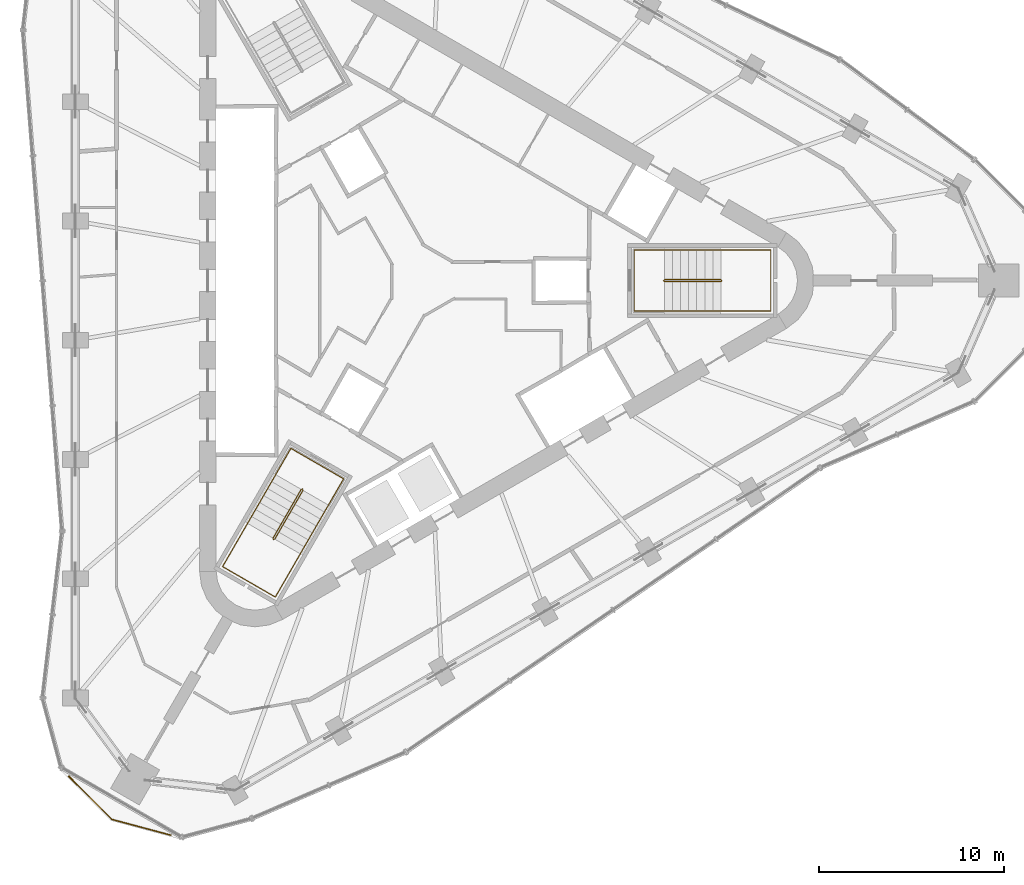
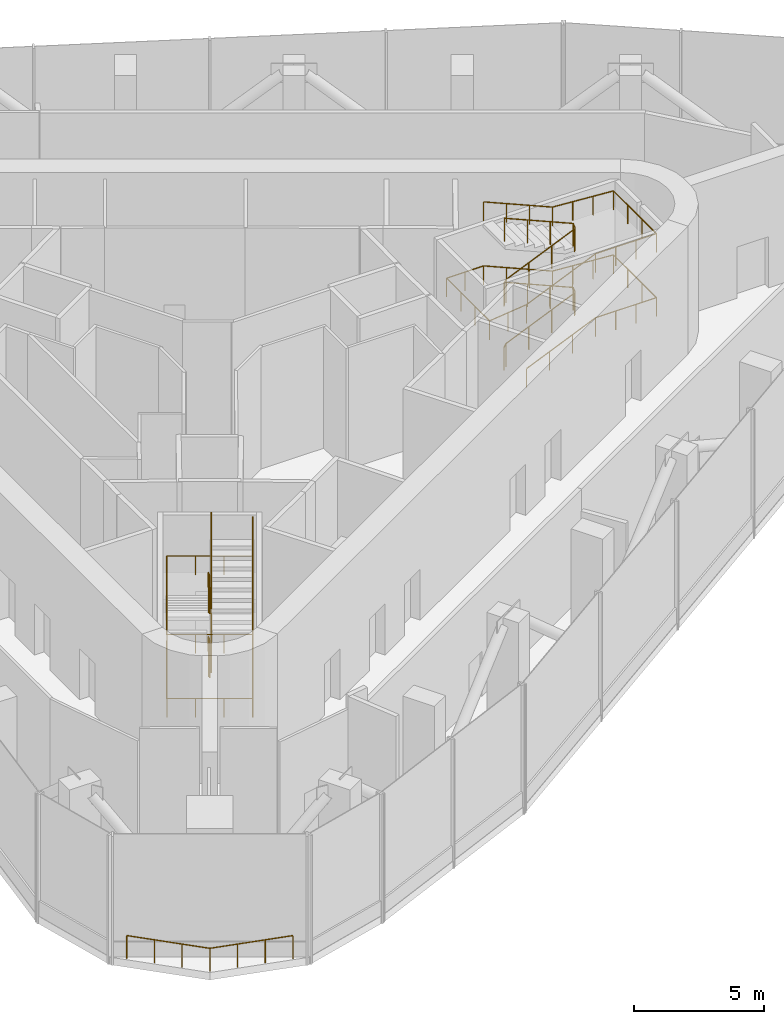
# One storey, part 13 of 15: 5 railings.
"""IFC4 building model written with IfcOpenShell, lengths in metres."""

from ifc_helpers import new_model, si_unit, direction, frame, origin, origin_2d, place, context, subcontext, project, spatial, circle, extrude, material, type_object, element, save


model = new_model("IFC4")

# Units and contexts
model_context = context("Model", 3, precision=1e-05, world=origin(), true_north=direction((0.0, 1.0)))
body_context = subcontext(model_context, "Body", "Model", "MODEL_VIEW")
ifc_project = project(units=[si_unit("LENGTHUNIT", "METRE"), si_unit("AREAUNIT", "SQUARE_METRE"), si_unit("VOLUMEUNIT", "CUBIC_METRE"), si_unit("PLANEANGLEUNIT", "RADIAN"), si_unit("MASSUNIT", "GRAM", prefix="KILO")], contexts=[model_context])

# Site, building, storey
site_placement = place(None, origin())
site = spatial("IfcSite", under=ifc_project, at=site_placement, CompositionType="ELEMENT")
building_placement = place(site_placement, origin())
building = spatial("IfcBuilding", under=site, at=building_placement, Name="Tanit Gate Tower", CompositionType="ELEMENT")
storey_placement = place(building_placement, frame((0.0, 0.0, 392.300048828125)))
storey = spatial("IfcBuildingStorey", under=building, at=storey_placement, Name="L90", CompositionType="ELEMENT", Elevation=392.300048828125)

# Railings
ifc_material_1 = material(Name="Stainless steel", Category="steel")
railing_type_1 = type_object("IfcRailingType", Name="Guard 1100 stainless steel balustrade", PredefinedType="GUARDRAIL", material=ifc_material_1)
railing_1_placement = place(storey_placement, frame((-13.66552734375, -30.05126953125, 0.0)))
element("IfcRailing", 1, at=railing_1_placement, inside=storey, type_object=railing_type_1, Name="Corner ledge guard L90 1", PredefinedType="GUARDRAIL", context=body_context, shape_type="SweptSolid", body=[
    extrude(circle(Radius=0.02392578125, at=origin_2d()), frame((0.0, 0.0, 1.076171875), z_axis=(-0.965927598952, 0.258812429344, 0.0), x_axis=(-0.258812429344, -0.965927598952, 0.0)), (0.0, 0.0, 1.0), 3.303466796875),
    extrude(circle(Radius=0.02392578125, at=origin_2d()), frame((-3.19091796875, 0.85498046875, 1.076171875), z_axis=(-0.707106781187, 0.707106781187, 0.0), x_axis=(-0.707106781187, -0.707106781187, 0.0)), (0.0, 0.0, 1.0), 3.303466796875),
    extrude(circle(Radius=0.02099609375, at=origin_2d()), origin(), (0.0, 0.0, 1.0), 1.052001953125),
    extrude(circle(Radius=0.02099609375, at=origin_2d()), frame((-1.063720703125, 0.284912109375, 0.0)), (0.0, 0.0, 1.0), 1.052001953125),
    extrude(circle(Radius=0.02099609375, at=origin_2d()), frame((-2.127197265625, 0.570068359375, 0.0)), (0.0, 0.0, 1.0), 1.052001953125),
    extrude(circle(Radius=0.02099609375, at=origin_2d()), frame((-3.19091796875, 0.85498046875, 0.0)), (0.0, 0.0, 1.0), 1.052001953125),
    extrude(circle(Radius=0.02099609375, at=origin_2d()), frame((-3.969482421875, 1.633544921875, 0.0)), (0.0, 0.0, 1.0), 1.052001953125),
    extrude(circle(Radius=0.02099609375, at=origin_2d()), frame((-4.748291015625, 2.412353515625, 0.0)), (0.0, 0.0, 1.0), 1.052001953125),
    extrude(circle(Radius=0.02099609375, at=origin_2d()), frame((-5.52685546875, 3.19091796875, 0.0)), (0.0, 0.0, 1.0), 1.052001953125),
])
ifc_material_2 = material(Name="Stainless steel balustrade", Category="steel")
railing_type_2 = type_object("IfcRailingType", Name="INT-STAIR-GUARD", PredefinedType="GUARDRAIL", material=ifc_material_2)
railing_2_placement = place(storey_placement, frame((13.044921875, 0.0048828125, 0.0)))
element("IfcRailing", 2, at=railing_2_placement, inside=storey, type_object=railing_type_2, Name="L90 S1 stair guard 1", PredefinedType="GUARDRAIL", context=body_context, shape_type="SweptSolid", body=[
    extrude(circle(Radius=0.02392578125, at=origin_2d()), frame((0.0, 0.0, 1.076171875), z_axis=(0.0, -1.0, 0.0), x_axis=(1.0, 0.0, 0.0)), (0.0, 0.0, 1.0), 0.009765625),
    extrude(circle(Radius=0.02392578125, at=origin_2d()), frame((0.0, -0.009765625, 1.076171875), z_axis=(0.249726431254, -0.249726431254, 0.935560483917), x_axis=(0.707106781187, 0.707106781187, 0.0)), (0.0, 0.0, 1.0), 0.200439453125),
    extrude(circle(Radius=0.02392578125, at=origin_2d()), frame((0.050048828125, -0.059814453125, 1.263671875), z_axis=(0.918608089886, 0.0, 0.395169808052), x_axis=(0.0, 1.0, 0.0)), (0.0, 0.0, 1.0), 3.3212890625),
    extrude(circle(Radius=0.02392578125, at=origin_2d()), frame((3.10107421875, -0.059814453125, 2.576171875), z_axis=(0.707106781187, 0.707106781187, 0.0), x_axis=(-0.707106781187, 0.707106781187, 0.0)), (0.0, 0.0, 1.0), 0.07080078125),
    extrude(circle(Radius=0.02392578125, at=origin_2d()), frame((3.151123046875, -0.009765625, 2.576171875), z_axis=(0.0, 1.0, 0.0), x_axis=(-1.0, 0.0, 0.0)), (0.0, 0.0, 1.0), 0.009765625),
    extrude(circle(Radius=0.02392578125, at=origin_2d()), frame((3.151123046875, 0.0, 2.576171875), z_axis=(-0.249726431254, 0.249726431254, 0.935560483917), x_axis=(-0.707106781187, -0.707106781187, 0.0)), (0.0, 0.0, 1.0), 0.200439453125),
    extrude(circle(Radius=0.02392578125, at=origin_2d()), frame((3.10107421875, 0.050048828125, 2.763671875), z_axis=(-0.918608089886, 0.0, 0.395169808052), x_axis=(0.0, -1.0, 0.0)), (0.0, 0.0, 1.0), 3.3212890625),
    extrude(circle(Radius=0.02392578125, at=origin_2d()), frame((0.050048828125, 0.050048828125, 4.076171875), z_axis=(-0.707106781187, -0.707106781187, 0.0), x_axis=(0.707106781187, -0.707106781187, 0.0)), (0.0, 0.0, 1.0), 0.07080078125),
    extrude(circle(Radius=0.02392578125, at=origin_2d()), frame((0.0, 0.0, 4.076171875), z_axis=(0.0, -1.0, 0.0), x_axis=(1.0, 0.0, 0.0)), (0.0, 0.0, 1.0), 0.009765625),
    extrude(circle(Radius=0.02392578125, at=origin_2d()), frame((0.0, -0.009765625, 4.076171875), z_axis=(0.249726431254, -0.249726431254, 0.935560483917), x_axis=(0.707106781187, 0.707106781187, 0.0)), (0.0, 0.0, 1.0), 0.200439453125),
    extrude(circle(Radius=0.02392578125, at=origin_2d()), frame((0.050048828125, -0.059814453125, 4.263671875), z_axis=(0.918608089886, 0.0, 0.395169808052), x_axis=(0.0, 1.0, 0.0)), (0.0, 0.0, 1.0), 3.3212890625),
    extrude(circle(Radius=0.02392578125, at=origin_2d()), frame((3.10107421875, -0.059814453125, 5.576171875), z_axis=(0.707106781187, 0.707106781187, 0.0), x_axis=(-0.707106781187, 0.707106781187, 0.0)), (0.0, 0.0, 1.0), 0.07080078125),
    extrude(circle(Radius=0.02392578125, at=origin_2d()), frame((3.151123046875, -0.009765625, 5.576171875), z_axis=(0.0, 1.0, 0.0), x_axis=(-1.0, 0.0, 0.0)), (0.0, 0.0, 1.0), 0.009765625),
    extrude(circle(Radius=0.02392578125, at=origin_2d()), frame((3.151123046875, 0.0, 5.576171875), z_axis=(-0.249726431254, 0.249726431254, 0.935560483917), x_axis=(-0.707106781187, -0.707106781187, 0.0)), (0.0, 0.0, 1.0), 0.200439453125),
    extrude(circle(Radius=0.02392578125, at=origin_2d()), frame((3.10107421875, 0.050048828125, 5.763671875), z_axis=(-0.918608089886, 0.0, 0.395169808052), x_axis=(0.0, -1.0, 0.0)), (0.0, 0.0, 1.0), 3.3212890625),
    extrude(circle(Radius=0.02099609375, at=origin_2d()), origin(), (0.0, 0.0, 1.0), 1.052001953125),
    extrude(circle(Radius=0.02099609375, at=origin_2d()), frame((0.0, -0.009765625, 0.0)), (0.0, 0.0, 1.0), 1.052001953125),
    extrude(circle(Radius=0.02099609375, at=origin_2d()), frame((0.050048828125, -0.059814453125, 0.1875)), (0.0, 0.0, 1.0), 1.052001953125),
    extrude(circle(Radius=0.02099609375, at=origin_2d()), frame((1.067138671875, -0.059814453125, 0.625)), (0.0, 0.0, 1.0), 1.052001953125),
    extrude(circle(Radius=0.02099609375, at=origin_2d()), frame((2.083984375, -0.059814453125, 1.0625)), (0.0, 0.0, 1.0), 1.052001953125),
    extrude(circle(Radius=0.02099609375, at=origin_2d()), frame((3.10107421875, -0.059814453125, 1.5)), (0.0, 0.0, 1.0), 1.052001953125),
    extrude(circle(Radius=0.02099609375, at=origin_2d()), frame((3.151123046875, -0.009765625, 1.5)), (0.0, 0.0, 1.0), 1.052001953125),
    extrude(circle(Radius=0.02099609375, at=origin_2d()), frame((3.151123046875, 0.0, 1.5)), (0.0, 0.0, 1.0), 1.052001953125),
    extrude(circle(Radius=0.02099609375, at=origin_2d()), frame((3.10107421875, 0.050048828125, 1.6875)), (0.0, 0.0, 1.0), 1.052001953125),
    extrude(circle(Radius=0.02099609375, at=origin_2d()), frame((2.083984375, 0.050048828125, 2.125)), (0.0, 0.0, 1.0), 1.052001953125),
    extrude(circle(Radius=0.02099609375, at=origin_2d()), frame((1.067138671875, 0.050048828125, 2.5625)), (0.0, 0.0, 1.0), 1.052001953125),
    extrude(circle(Radius=0.02099609375, at=origin_2d()), frame((0.050048828125, 0.050048828125, 3.0)), (0.0, 0.0, 1.0), 1.052001953125),
    extrude(circle(Radius=0.02099609375, at=origin_2d()), frame((0.0, 0.0, 3.0)), (0.0, 0.0, 1.0), 1.052001953125),
    extrude(circle(Radius=0.02099609375, at=origin_2d()), frame((0.0, -0.009765625, 3.0)), (0.0, 0.0, 1.0), 1.052001953125),
    extrude(circle(Radius=0.02099609375, at=origin_2d()), frame((0.050048828125, -0.059814453125, 3.1875)), (0.0, 0.0, 1.0), 1.052001953125),
    extrude(circle(Radius=0.02099609375, at=origin_2d()), frame((1.067138671875, -0.059814453125, 3.625)), (0.0, 0.0, 1.0), 1.052001953125),
    extrude(circle(Radius=0.02099609375, at=origin_2d()), frame((2.083984375, -0.059814453125, 4.0625)), (0.0, 0.0, 1.0), 1.052001953125),
    extrude(circle(Radius=0.02099609375, at=origin_2d()), frame((3.10107421875, -0.059814453125, 4.5)), (0.0, 0.0, 1.0), 1.052001953125),
    extrude(circle(Radius=0.02099609375, at=origin_2d()), frame((3.151123046875, -0.009765625, 4.5)), (0.0, 0.0, 1.0), 1.052001953125),
    extrude(circle(Radius=0.02099609375, at=origin_2d()), frame((3.151123046875, 0.0, 4.5)), (0.0, 0.0, 1.0), 1.052001953125),
    extrude(circle(Radius=0.02099609375, at=origin_2d()), frame((3.10107421875, 0.050048828125, 4.6875)), (0.0, 0.0, 1.0), 1.052001953125),
    extrude(circle(Radius=0.02099609375, at=origin_2d()), frame((2.083984375, 0.050048828125, 5.125)), (0.0, 0.0, 1.0), 1.052001953125),
    extrude(circle(Radius=0.02099609375, at=origin_2d()), frame((1.067138671875, 0.050048828125, 5.5625)), (0.0, 0.0, 1.0), 1.052001953125),
    extrude(circle(Radius=0.02099609375, at=origin_2d()), frame((0.050048828125, 0.050048828125, 6.0)), (0.0, 0.0, 1.0), 1.052001953125),
])
railing_3_placement = place(storey_placement, frame((-6.51806640625, -11.2998046875, 0.0)))
element("IfcRailing", 3, at=railing_3_placement, inside=storey, type_object=railing_type_2, Name="L90 S3 stair guard 1", PredefinedType="GUARDRAIL", context=body_context, shape_type="SweptSolid", body=[
    extrude(circle(Radius=0.02392578125, at=origin_2d()), frame((0.0, 0.0, 1.076171875), z_axis=(-0.874157276122, 0.485642931179, 0.0), x_axis=(-0.485642931179, -0.874157276122, 0.0)), (0.0, 0.0, 1.0), 0.010009765625),
    extrude(circle(Radius=0.02392578125, at=origin_2d()), frame((-0.0087890625, 0.0048828125, 1.076171875), z_axis=(-0.34113380443, -0.090156791171, 0.935681292151), x_axis=(0.255512919477, -0.966805641264, 0.0)), (0.0, 0.0, 1.0), 0.200439453125),
    extrude(circle(Radius=0.02392578125, at=origin_2d()), frame((-0.0771484375, -0.01318359375, 1.263671875), z_axis=(-0.459267510171, -0.795558940874, 0.395169995947), x_axis=(0.866048339477, -0.499960272111, 0.0)), (0.0, 0.0, 1.0), 3.3212890625),
    extrude(circle(Radius=0.02392578125, at=origin_2d()), frame((-1.6025390625, -2.655517578125, 2.576171875), z_axis=(0.258736085224, -0.965948051503, 0.0), x_axis=(0.965948051503, 0.258736085224, 0.0)), (0.0, 0.0, 1.0), 0.07080078125),
    extrude(circle(Radius=0.02392578125, at=origin_2d()), frame((-1.584228515625, -2.723876953125, 2.576171875), z_axis=(0.868243142124, -0.496138938357, 0.0), x_axis=(0.496138938357, 0.868243142124, 0.0)), (0.0, 0.0, 1.0), 0.009765625),
    extrude(circle(Radius=0.02392578125, at=origin_2d()), frame((-1.57568359375, -2.728759765625, 2.576171875), z_axis=(0.341096086969, 0.091365023295, 0.935577838543), x_axis=(-0.258736085224, 0.965948051503, 0.0)), (0.0, 0.0, 1.0), 0.200439453125),
    extrude(circle(Radius=0.02392578125, at=origin_2d()), frame((-1.50732421875, -2.71044921875, 2.763671875), z_axis=(0.459352369135, 0.79550509502, 0.395179762597), x_axis=(-0.865993683553, 0.500054937028, 0.0)), (0.0, 0.0, 1.0), 3.3212890625),
    extrude(circle(Radius=0.02392578125, at=origin_2d()), frame((0.018310546875, -0.068359375, 4.076171875), z_axis=(-0.258736085224, 0.965948051503, 0.0), x_axis=(-0.965948051503, -0.258736085224, 0.0)), (0.0, 0.0, 1.0), 0.07080078125),
    extrude(circle(Radius=0.02392578125, at=origin_2d()), frame((0.0, 0.0, 4.076171875), z_axis=(-0.874157276122, 0.485642931179, 0.0), x_axis=(-0.485642931179, -0.874157276122, 0.0)), (0.0, 0.0, 1.0), 0.010009765625),
    extrude(circle(Radius=0.02392578125, at=origin_2d()), frame((-0.0087890625, 0.0048828125, 4.076171875), z_axis=(-0.34113380443, -0.090156791171, 0.935681292151), x_axis=(0.255512919477, -0.966805641264, 0.0)), (0.0, 0.0, 1.0), 0.200439453125),
    extrude(circle(Radius=0.02392578125, at=origin_2d()), frame((-0.0771484375, -0.01318359375, 4.263671875), z_axis=(-0.459267510171, -0.795558940874, 0.395169995947), x_axis=(0.866048339477, -0.499960272111, 0.0)), (0.0, 0.0, 1.0), 3.3212890625),
    extrude(circle(Radius=0.02392578125, at=origin_2d()), frame((-1.6025390625, -2.655517578125, 5.576171875), z_axis=(0.258736085224, -0.965948051503, 0.0), x_axis=(0.965948051503, 0.258736085224, 0.0)), (0.0, 0.0, 1.0), 0.07080078125),
    extrude(circle(Radius=0.02392578125, at=origin_2d()), frame((-1.584228515625, -2.723876953125, 5.576171875), z_axis=(0.868243142124, -0.496138938357, 0.0), x_axis=(0.496138938357, 0.868243142124, 0.0)), (0.0, 0.0, 1.0), 0.009765625),
    extrude(circle(Radius=0.02392578125, at=origin_2d()), frame((-1.57568359375, -2.728759765625, 5.576171875), z_axis=(0.341096086969, 0.091365023295, 0.935577838543), x_axis=(-0.258736085224, 0.965948051503, 0.0)), (0.0, 0.0, 1.0), 0.200439453125),
    extrude(circle(Radius=0.02392578125, at=origin_2d()), frame((-1.50732421875, -2.71044921875, 5.763671875), z_axis=(0.459352369135, 0.79550509502, 0.395179762597), x_axis=(-0.865993683553, 0.500054937028, 0.0)), (0.0, 0.0, 1.0), 3.3212890625),
    extrude(circle(Radius=0.02099609375, at=origin_2d()), origin(), (0.0, 0.0, 1.0), 1.052001953125),
    extrude(circle(Radius=0.02099609375, at=origin_2d()), frame((-0.0087890625, 0.0048828125, 0.0)), (0.0, 0.0, 1.0), 1.052001953125),
    extrude(circle(Radius=0.02099609375, at=origin_2d()), frame((-0.0771484375, -0.01318359375, 0.1875)), (0.0, 0.0, 1.0), 1.052001953125),
    extrude(circle(Radius=0.02099609375, at=origin_2d()), frame((-0.585693359375, -0.89404296875, 0.625)), (0.0, 0.0, 1.0), 1.052001953125),
    extrude(circle(Radius=0.02099609375, at=origin_2d()), frame((-1.093994140625, -1.774658203125, 1.0625)), (0.0, 0.0, 1.0), 1.052001953125),
    extrude(circle(Radius=0.02099609375, at=origin_2d()), frame((-1.6025390625, -2.655517578125, 1.5)), (0.0, 0.0, 1.0), 1.052001953125),
    extrude(circle(Radius=0.02099609375, at=origin_2d()), frame((-1.584228515625, -2.723876953125, 1.5)), (0.0, 0.0, 1.0), 1.052001953125),
    extrude(circle(Radius=0.02099609375, at=origin_2d()), frame((-1.57568359375, -2.728759765625, 1.5)), (0.0, 0.0, 1.0), 1.052001953125),
    extrude(circle(Radius=0.02099609375, at=origin_2d()), frame((-1.50732421875, -2.71044921875, 1.6875)), (0.0, 0.0, 1.0), 1.052001953125),
    extrude(circle(Radius=0.02099609375, at=origin_2d()), frame((-0.998779296875, -1.829833984375, 2.125)), (0.0, 0.0, 1.0), 1.052001953125),
    extrude(circle(Radius=0.02099609375, at=origin_2d()), frame((-0.490234375, -0.948974609375, 2.5625)), (0.0, 0.0, 1.0), 1.052001953125),
    extrude(circle(Radius=0.02099609375, at=origin_2d()), frame((0.018310546875, -0.068359375, 3.0)), (0.0, 0.0, 1.0), 1.052001953125),
    extrude(circle(Radius=0.02099609375, at=origin_2d()), frame((0.0, 0.0, 3.0)), (0.0, 0.0, 1.0), 1.052001953125),
    extrude(circle(Radius=0.02099609375, at=origin_2d()), frame((-0.0087890625, 0.0048828125, 3.0)), (0.0, 0.0, 1.0), 1.052001953125),
    extrude(circle(Radius=0.02099609375, at=origin_2d()), frame((-0.0771484375, -0.01318359375, 3.1875)), (0.0, 0.0, 1.0), 1.052001953125),
    extrude(circle(Radius=0.02099609375, at=origin_2d()), frame((-0.585693359375, -0.89404296875, 3.625)), (0.0, 0.0, 1.0), 1.052001953125),
    extrude(circle(Radius=0.02099609375, at=origin_2d()), frame((-1.093994140625, -1.774658203125, 4.0625)), (0.0, 0.0, 1.0), 1.052001953125),
    extrude(circle(Radius=0.02099609375, at=origin_2d()), frame((-1.6025390625, -2.655517578125, 4.5)), (0.0, 0.0, 1.0), 1.052001953125),
    extrude(circle(Radius=0.02099609375, at=origin_2d()), frame((-1.584228515625, -2.723876953125, 4.5)), (0.0, 0.0, 1.0), 1.052001953125),
    extrude(circle(Radius=0.02099609375, at=origin_2d()), frame((-1.57568359375, -2.728759765625, 4.5)), (0.0, 0.0, 1.0), 1.052001953125),
    extrude(circle(Radius=0.02099609375, at=origin_2d()), frame((-1.50732421875, -2.71044921875, 4.6875)), (0.0, 0.0, 1.0), 1.052001953125),
    extrude(circle(Radius=0.02099609375, at=origin_2d()), frame((-0.998779296875, -1.829833984375, 5.125)), (0.0, 0.0, 1.0), 1.052001953125),
    extrude(circle(Radius=0.02099609375, at=origin_2d()), frame((-0.490234375, -0.948974609375, 5.5625)), (0.0, 0.0, 1.0), 1.052001953125),
    extrude(circle(Radius=0.02099609375, at=origin_2d()), frame((0.018310546875, -0.068359375, 6.0)), (0.0, 0.0, 1.0), 1.052001953125),
])
ifc_material_3 = material(Name="Stainless steel handrail", Category="steel")
railing_type_3 = type_object("IfcRailingType", Name="INT-STAIR-HANDRAIL", PredefinedType="HANDRAIL", material=ifc_material_3)
railing_4_placement = place(storey_placement, frame((13.094970703125, -1.64990234375, 0.1875)))
element("IfcRailing", 4, at=railing_4_placement, inside=storey, type_object=railing_type_3, Name="L90 S1 stair handrail 1", PredefinedType="HANDRAIL", context=body_context, shape_type="SweptSolid", body=[
    extrude(circle(Radius=0.02392578125, at=origin_2d()), frame((0.0, 0.0, 0.8759765625), z_axis=(0.918608089886, 0.0, 0.395169808052), x_axis=(0.0, 1.0, 0.0)), (0.0, 0.0, 1.0), 3.3212890625),
    extrude(circle(Radius=0.02392578125, at=origin_2d()), frame((3.051025390625, 0.0, 2.1884765625), z_axis=(1.0, 0.0, 0.0), x_axis=(0.0, 1.0, 0.0)), (0.0, 0.0, 1.0), 2.7041015625),
    extrude(circle(Radius=0.02392578125, at=origin_2d()), frame((5.755126953125, 0.0, 2.1884765625), z_axis=(0.0, 1.0, 0.0), x_axis=(-1.0, 0.0, 0.0)), (0.0, 0.0, 1.0), 3.2998046875),
    extrude(circle(Radius=0.02392578125, at=origin_2d()), frame((5.755126953125, 3.2998046875, 2.1884765625), z_axis=(-0.997604677724, 0.0, 0.069173022074), x_axis=(0.0, -1.0, 0.0)), (0.0, 0.0, 1.0), 2.710693359375),
    extrude(circle(Radius=0.02392578125, at=origin_2d()), frame((3.051025390625, 3.2998046875, 2.3759765625), z_axis=(-0.918608089886, 0.0, 0.395169808052), x_axis=(0.0, -1.0, 0.0)), (0.0, 0.0, 1.0), 3.3212890625),
    extrude(circle(Radius=0.02392578125, at=origin_2d()), frame((0.0, 3.2998046875, 3.6884765625), z_axis=(-1.0, 0.0, 0.0), x_axis=(0.0, -1.0, 0.0)), (0.0, 0.0, 1.0), 1.64501953125),
    extrude(circle(Radius=0.02392578125, at=origin_2d()), frame((-1.64501953125, 3.2998046875, 3.6884765625), z_axis=(0.0, -1.0, 0.0), x_axis=(1.0, 0.0, 0.0)), (0.0, 0.0, 1.0), 3.2998046875),
    extrude(circle(Radius=0.02392578125, at=origin_2d()), frame((-1.64501953125, 0.0, 3.6884765625), z_axis=(0.99356684807, 0.0, 0.113247156325), x_axis=(0.0, 1.0, 0.0)), (0.0, 0.0, 1.0), 1.65576171875),
    extrude(circle(Radius=0.02392578125, at=origin_2d()), frame((0.0, 0.0, 3.8759765625), z_axis=(0.918608089886, 0.0, 0.395169808052), x_axis=(0.0, 1.0, 0.0)), (0.0, 0.0, 1.0), 3.3212890625),
    extrude(circle(Radius=0.02392578125, at=origin_2d()), frame((3.051025390625, 0.0, 5.1884765625), z_axis=(1.0, 0.0, 0.0), x_axis=(0.0, 1.0, 0.0)), (0.0, 0.0, 1.0), 2.7041015625),
    extrude(circle(Radius=0.02392578125, at=origin_2d()), frame((5.755126953125, 0.0, 5.1884765625), z_axis=(0.0, 1.0, 0.0), x_axis=(-1.0, 0.0, 0.0)), (0.0, 0.0, 1.0), 3.2998046875),
    extrude(circle(Radius=0.02392578125, at=origin_2d()), frame((5.755126953125, 3.2998046875, 5.1884765625), z_axis=(-0.997604677724, 0.0, 0.069173022074), x_axis=(0.0, -1.0, 0.0)), (0.0, 0.0, 1.0), 2.710693359375),
    extrude(circle(Radius=0.02392578125, at=origin_2d()), frame((3.051025390625, 3.2998046875, 5.3759765625), z_axis=(-0.918608089886, 0.0, 0.395169808052), x_axis=(0.0, -1.0, 0.0)), (0.0, 0.0, 1.0), 3.3212890625),
    extrude(circle(Radius=0.02099609375, at=origin_2d()), origin(), (0.0, 0.0, 1.0), 0.851806640625),
    extrude(circle(Radius=0.02099609375, at=origin_2d()), frame((1.01708984375, 0.0, 0.4375)), (0.0, 0.0, 1.0), 0.851806640625),
    extrude(circle(Radius=0.02099609375, at=origin_2d()), frame((2.033935546875, 0.0, 0.875)), (0.0, 0.0, 1.0), 0.851806640625),
    extrude(circle(Radius=0.02099609375, at=origin_2d()), frame((3.051025390625, 0.0, 1.3125)), (0.0, 0.0, 1.0), 0.851806640625),
    extrude(circle(Radius=0.02099609375, at=origin_2d()), frame((3.952392578125, 0.0, 1.3125)), (0.0, 0.0, 1.0), 0.851806640625),
    extrude(circle(Radius=0.02099609375, at=origin_2d()), frame((4.853759765625, 0.0, 1.3125)), (0.0, 0.0, 1.0), 0.851806640625),
    extrude(circle(Radius=0.02099609375, at=origin_2d()), frame((5.755126953125, 0.0, 1.3125)), (0.0, 0.0, 1.0), 0.851806640625),
    extrude(circle(Radius=0.02099609375, at=origin_2d()), frame((5.755126953125, 1.099853515625, 1.3125)), (0.0, 0.0, 1.0), 0.851806640625),
    extrude(circle(Radius=0.02099609375, at=origin_2d()), frame((5.755126953125, 2.199951171875, 1.3125)), (0.0, 0.0, 1.0), 0.851806640625),
    extrude(circle(Radius=0.02099609375, at=origin_2d()), frame((5.755126953125, 3.2998046875, 1.3125)), (0.0, 0.0, 1.0), 0.851806640625),
    extrude(circle(Radius=0.02099609375, at=origin_2d()), frame((4.853759765625, 3.2998046875, 1.375)), (0.0, 0.0, 1.0), 0.851806640625),
    extrude(circle(Radius=0.02099609375, at=origin_2d()), frame((3.952392578125, 3.2998046875, 1.4375)), (0.0, 0.0, 1.0), 0.851806640625),
    extrude(circle(Radius=0.02099609375, at=origin_2d()), frame((3.051025390625, 3.2998046875, 1.5)), (0.0, 0.0, 1.0), 0.851806640625),
    extrude(circle(Radius=0.02099609375, at=origin_2d()), frame((2.033935546875, 3.2998046875, 1.9375)), (0.0, 0.0, 1.0), 0.851806640625),
    extrude(circle(Radius=0.02099609375, at=origin_2d()), frame((1.01708984375, 3.2998046875, 2.375)), (0.0, 0.0, 1.0), 0.851806640625),
    extrude(circle(Radius=0.02099609375, at=origin_2d()), frame((0.0, 3.2998046875, 2.8125)), (0.0, 0.0, 1.0), 0.851806640625),
    extrude(circle(Radius=0.02099609375, at=origin_2d()), frame((-0.822509765625, 3.2998046875, 2.8125)), (0.0, 0.0, 1.0), 0.851806640625),
    extrude(circle(Radius=0.02099609375, at=origin_2d()), frame((-1.64501953125, 3.2998046875, 2.8125)), (0.0, 0.0, 1.0), 0.851806640625),
    extrude(circle(Radius=0.02099609375, at=origin_2d()), frame((-1.64501953125, 2.199951171875, 2.8125)), (0.0, 0.0, 1.0), 0.851806640625),
    extrude(circle(Radius=0.02099609375, at=origin_2d()), frame((-1.64501953125, 1.099853515625, 2.8125)), (0.0, 0.0, 1.0), 0.851806640625),
    extrude(circle(Radius=0.02099609375, at=origin_2d()), frame((-1.64501953125, 0.0, 2.8125)), (0.0, 0.0, 1.0), 0.851806640625),
    extrude(circle(Radius=0.02099609375, at=origin_2d()), frame((-0.822509765625, 0.0, 2.90625)), (0.0, 0.0, 1.0), 0.851806640625),
    extrude(circle(Radius=0.02099609375, at=origin_2d()), frame((0.0, 0.0, 3.0)), (0.0, 0.0, 1.0), 0.851806640625),
    extrude(circle(Radius=0.02099609375, at=origin_2d()), frame((1.01708984375, 0.0, 3.4375)), (0.0, 0.0, 1.0), 0.851806640625),
    extrude(circle(Radius=0.02099609375, at=origin_2d()), frame((2.033935546875, 0.0, 3.875)), (0.0, 0.0, 1.0), 0.851806640625),
    extrude(circle(Radius=0.02099609375, at=origin_2d()), frame((3.051025390625, 0.0, 4.3125)), (0.0, 0.0, 1.0), 0.851806640625),
    extrude(circle(Radius=0.02099609375, at=origin_2d()), frame((3.952392578125, 0.0, 4.3125)), (0.0, 0.0, 1.0), 0.851806640625),
    extrude(circle(Radius=0.02099609375, at=origin_2d()), frame((4.853759765625, 0.0, 4.3125)), (0.0, 0.0, 1.0), 0.851806640625),
    extrude(circle(Radius=0.02099609375, at=origin_2d()), frame((5.755126953125, 0.0, 4.3125)), (0.0, 0.0, 1.0), 0.851806640625),
    extrude(circle(Radius=0.02099609375, at=origin_2d()), frame((5.755126953125, 1.099853515625, 4.3125)), (0.0, 0.0, 1.0), 0.851806640625),
    extrude(circle(Radius=0.02099609375, at=origin_2d()), frame((5.755126953125, 2.199951171875, 4.3125)), (0.0, 0.0, 1.0), 0.851806640625),
    extrude(circle(Radius=0.02099609375, at=origin_2d()), frame((5.755126953125, 3.2998046875, 4.3125)), (0.0, 0.0, 1.0), 0.851806640625),
    extrude(circle(Radius=0.02099609375, at=origin_2d()), frame((4.853759765625, 3.2998046875, 4.375)), (0.0, 0.0, 1.0), 0.851806640625),
    extrude(circle(Radius=0.02099609375, at=origin_2d()), frame((3.952392578125, 3.2998046875, 4.4375)), (0.0, 0.0, 1.0), 0.851806640625),
    extrude(circle(Radius=0.02099609375, at=origin_2d()), frame((3.051025390625, 3.2998046875, 4.5)), (0.0, 0.0, 1.0), 0.851806640625),
    extrude(circle(Radius=0.02099609375, at=origin_2d()), frame((2.033935546875, 3.2998046875, 4.9375)), (0.0, 0.0, 1.0), 0.851806640625),
    extrude(circle(Radius=0.02099609375, at=origin_2d()), frame((1.01708984375, 3.2998046875, 5.375)), (0.0, 0.0, 1.0), 0.851806640625),
    extrude(circle(Radius=0.02099609375, at=origin_2d()), frame((0.0, 3.2998046875, 5.8125)), (0.0, 0.0, 1.0), 0.851806640625),
])
railing_5_placement = place(storey_placement, frame((-7.9765625, -10.515625, 0.1875)))
element("IfcRailing", 5, at=railing_5_placement, inside=storey, type_object=railing_type_3, Name="L90 S3 stair handrail 1", PredefinedType="HANDRAIL", context=body_context, shape_type="SweptSolid", body=[
    extrude(circle(Radius=0.02392578125, at=origin_2d()), frame((0.0, 0.0, 0.8759765625), z_axis=(-0.459267510171, -0.795558940874, 0.395169995947), x_axis=(0.866048339477, -0.499960272111, 0.0)), (0.0, 0.0, 1.0), 3.3212890625),
    extrude(circle(Radius=0.02392578125, at=origin_2d()), frame((-1.525390625, -2.642333984375, 2.1884765625), z_axis=(-0.50004290449, -0.866000631449, 0.0), x_axis=(0.866000631449, -0.50004290449, 0.0)), (0.0, 0.0, 1.0), 2.703857421875),
    extrude(circle(Radius=0.02392578125, at=origin_2d()), frame((-2.87744140625, -4.98388671875, 2.1884765625), z_axis=(0.866008176907, -0.50002983664, 0.0), x_axis=(0.50002983664, 0.866008176907, 0.0)), (0.0, 0.0, 1.0), 3.300048828125),
    extrude(circle(Radius=0.02392578125, at=origin_2d()), frame((-0.01953125, -6.634033203125, 2.1884765625), z_axis=(0.498806118336, 0.863948769787, 0.069173546205), x_axis=(-0.866023205937, 0.500003806764, 0.0)), (0.0, 0.0, 1.0), 2.710693359375),
    extrude(circle(Radius=0.02392578125, at=origin_2d()), frame((1.33251953125, -4.292236328125, 2.3759765625), z_axis=(0.459267510171, 0.795558940874, 0.395169995947), x_axis=(-0.866048339477, 0.499960272111, 0.0)), (0.0, 0.0, 1.0), 3.3212890625),
    extrude(circle(Radius=0.02392578125, at=origin_2d()), frame((2.85791015625, -1.64990234375, 3.6884765625), z_axis=(0.50001794124, 0.866015045157, 0.0), x_axis=(-0.866015045157, 0.50001794124, 0.0)), (0.0, 0.0, 1.0), 1.64501953125),
    extrude(circle(Radius=0.02392578125, at=origin_2d()), frame((3.680419921875, -0.225341796875, 3.6884765625), z_axis=(-0.866040211805, 0.499974350878, 0.0), x_axis=(-0.499974350878, -0.866040211805, 0.0)), (0.0, 0.0, 1.0), 3.300048828125),
    extrude(circle(Radius=0.02392578125, at=origin_2d()), frame((0.822509765625, 1.424560546875, 3.6884765625), z_axis=(-0.496801021229, -0.860443442824, 0.113251167796), x_axis=(0.866015045157, -0.50001794124, 0.0)), (0.0, 0.0, 1.0), 1.655517578125),
    extrude(circle(Radius=0.02392578125, at=origin_2d()), frame((0.0, 0.0, 3.8759765625), z_axis=(-0.459267510171, -0.795558940874, 0.395169995947), x_axis=(0.866048339477, -0.499960272111, 0.0)), (0.0, 0.0, 1.0), 3.3212890625),
    extrude(circle(Radius=0.02392578125, at=origin_2d()), frame((-1.525390625, -2.642333984375, 5.1884765625), z_axis=(-0.50004290449, -0.866000631449, 0.0), x_axis=(0.866000631449, -0.50004290449, 0.0)), (0.0, 0.0, 1.0), 2.703857421875),
    extrude(circle(Radius=0.02392578125, at=origin_2d()), frame((-2.87744140625, -4.98388671875, 5.1884765625), z_axis=(0.866008176907, -0.50002983664, 0.0), x_axis=(0.50002983664, 0.866008176907, 0.0)), (0.0, 0.0, 1.0), 3.300048828125),
    extrude(circle(Radius=0.02392578125, at=origin_2d()), frame((-0.01953125, -6.634033203125, 5.1884765625), z_axis=(0.498806118336, 0.863948769787, 0.069173546205), x_axis=(-0.866023205937, 0.500003806764, 0.0)), (0.0, 0.0, 1.0), 2.710693359375),
    extrude(circle(Radius=0.02392578125, at=origin_2d()), frame((1.33251953125, -4.292236328125, 5.3759765625), z_axis=(0.459267510171, 0.795558940874, 0.395169995947), x_axis=(-0.866048339477, 0.499960272111, 0.0)), (0.0, 0.0, 1.0), 3.3212890625),
    extrude(circle(Radius=0.02099609375, at=origin_2d()), origin(), (0.0, 0.0, 1.0), 0.851806640625),
    extrude(circle(Radius=0.02099609375, at=origin_2d()), frame((-0.508544921875, -0.880859375, 0.4375)), (0.0, 0.0, 1.0), 0.851806640625),
    extrude(circle(Radius=0.02099609375, at=origin_2d()), frame((-1.016845703125, -1.761474609375, 0.875)), (0.0, 0.0, 1.0), 0.851806640625),
    extrude(circle(Radius=0.02099609375, at=origin_2d()), frame((-1.525390625, -2.642333984375, 1.3125)), (0.0, 0.0, 1.0), 0.851806640625),
    extrude(circle(Radius=0.02099609375, at=origin_2d()), frame((-1.97607421875, -3.4228515625, 1.3125)), (0.0, 0.0, 1.0), 0.851806640625),
    extrude(circle(Radius=0.02099609375, at=origin_2d()), frame((-2.4267578125, -4.203369140625, 1.3125)), (0.0, 0.0, 1.0), 0.851806640625),
    extrude(circle(Radius=0.02099609375, at=origin_2d()), frame((-2.87744140625, -4.98388671875, 1.3125)), (0.0, 0.0, 1.0), 0.851806640625),
    extrude(circle(Radius=0.02099609375, at=origin_2d()), frame((-1.9248046875, -5.533935546875, 1.3125)), (0.0, 0.0, 1.0), 0.851806640625),
    extrude(circle(Radius=0.02099609375, at=origin_2d()), frame((-0.97216796875, -6.083984375, 1.3125)), (0.0, 0.0, 1.0), 0.851806640625),
    extrude(circle(Radius=0.02099609375, at=origin_2d()), frame((-0.01953125, -6.634033203125, 1.3125)), (0.0, 0.0, 1.0), 0.851806640625),
    extrude(circle(Radius=0.02099609375, at=origin_2d()), frame((0.43115234375, -5.853515625, 1.375)), (0.0, 0.0, 1.0), 0.851806640625),
    extrude(circle(Radius=0.02099609375, at=origin_2d()), frame((0.8818359375, -5.07275390625, 1.4375)), (0.0, 0.0, 1.0), 0.851806640625),
    extrude(circle(Radius=0.02099609375, at=origin_2d()), frame((1.33251953125, -4.292236328125, 1.5)), (0.0, 0.0, 1.0), 0.851806640625),
    extrude(circle(Radius=0.02099609375, at=origin_2d()), frame((1.841064453125, -3.411376953125, 1.9375)), (0.0, 0.0, 1.0), 0.851806640625),
    extrude(circle(Radius=0.02099609375, at=origin_2d()), frame((2.349365234375, -2.53076171875, 2.375)), (0.0, 0.0, 1.0), 0.851806640625),
    extrude(circle(Radius=0.02099609375, at=origin_2d()), frame((2.85791015625, -1.64990234375, 2.8125)), (0.0, 0.0, 1.0), 0.851806640625),
    extrude(circle(Radius=0.02099609375, at=origin_2d()), frame((3.26904296875, -0.9375, 2.8125)), (0.0, 0.0, 1.0), 0.851806640625),
    extrude(circle(Radius=0.02099609375, at=origin_2d()), frame((3.680419921875, -0.225341796875, 2.8125)), (0.0, 0.0, 1.0), 0.851806640625),
    extrude(circle(Radius=0.02099609375, at=origin_2d()), frame((2.727783203125, 0.32470703125, 2.8125)), (0.0, 0.0, 1.0), 0.851806640625),
    extrude(circle(Radius=0.02099609375, at=origin_2d()), frame((1.775146484375, 0.87451171875, 2.8125)), (0.0, 0.0, 1.0), 0.851806640625),
    extrude(circle(Radius=0.02099609375, at=origin_2d()), frame((0.822509765625, 1.424560546875, 2.8125)), (0.0, 0.0, 1.0), 0.851806640625),
    extrude(circle(Radius=0.02099609375, at=origin_2d()), frame((0.4111328125, 0.71240234375, 2.90625)), (0.0, 0.0, 1.0), 0.851806640625),
    extrude(circle(Radius=0.02099609375, at=origin_2d()), frame((0.0, 0.0, 3.0)), (0.0, 0.0, 1.0), 0.851806640625),
    extrude(circle(Radius=0.02099609375, at=origin_2d()), frame((-0.508544921875, -0.880859375, 3.4375)), (0.0, 0.0, 1.0), 0.851806640625),
    extrude(circle(Radius=0.02099609375, at=origin_2d()), frame((-1.016845703125, -1.761474609375, 3.875)), (0.0, 0.0, 1.0), 0.851806640625),
    extrude(circle(Radius=0.02099609375, at=origin_2d()), frame((-1.525390625, -2.642333984375, 4.3125)), (0.0, 0.0, 1.0), 0.851806640625),
    extrude(circle(Radius=0.02099609375, at=origin_2d()), frame((-1.97607421875, -3.4228515625, 4.3125)), (0.0, 0.0, 1.0), 0.851806640625),
    extrude(circle(Radius=0.02099609375, at=origin_2d()), frame((-2.4267578125, -4.203369140625, 4.3125)), (0.0, 0.0, 1.0), 0.851806640625),
    extrude(circle(Radius=0.02099609375, at=origin_2d()), frame((-2.87744140625, -4.98388671875, 4.3125)), (0.0, 0.0, 1.0), 0.851806640625),
    extrude(circle(Radius=0.02099609375, at=origin_2d()), frame((-1.9248046875, -5.533935546875, 4.3125)), (0.0, 0.0, 1.0), 0.851806640625),
    extrude(circle(Radius=0.02099609375, at=origin_2d()), frame((-0.97216796875, -6.083984375, 4.3125)), (0.0, 0.0, 1.0), 0.851806640625),
    extrude(circle(Radius=0.02099609375, at=origin_2d()), frame((-0.01953125, -6.634033203125, 4.3125)), (0.0, 0.0, 1.0), 0.851806640625),
    extrude(circle(Radius=0.02099609375, at=origin_2d()), frame((0.43115234375, -5.853515625, 4.375)), (0.0, 0.0, 1.0), 0.851806640625),
    extrude(circle(Radius=0.02099609375, at=origin_2d()), frame((0.8818359375, -5.07275390625, 4.4375)), (0.0, 0.0, 1.0), 0.851806640625),
    extrude(circle(Radius=0.02099609375, at=origin_2d()), frame((1.33251953125, -4.292236328125, 4.5)), (0.0, 0.0, 1.0), 0.851806640625),
    extrude(circle(Radius=0.02099609375, at=origin_2d()), frame((1.841064453125, -3.411376953125, 4.9375)), (0.0, 0.0, 1.0), 0.851806640625),
    extrude(circle(Radius=0.02099609375, at=origin_2d()), frame((2.349365234375, -2.53076171875, 5.375)), (0.0, 0.0, 1.0), 0.851806640625),
    extrude(circle(Radius=0.02099609375, at=origin_2d()), frame((2.85791015625, -1.64990234375, 5.8125)), (0.0, 0.0, 1.0), 0.851806640625),
])

save(model, "model.ifc")
